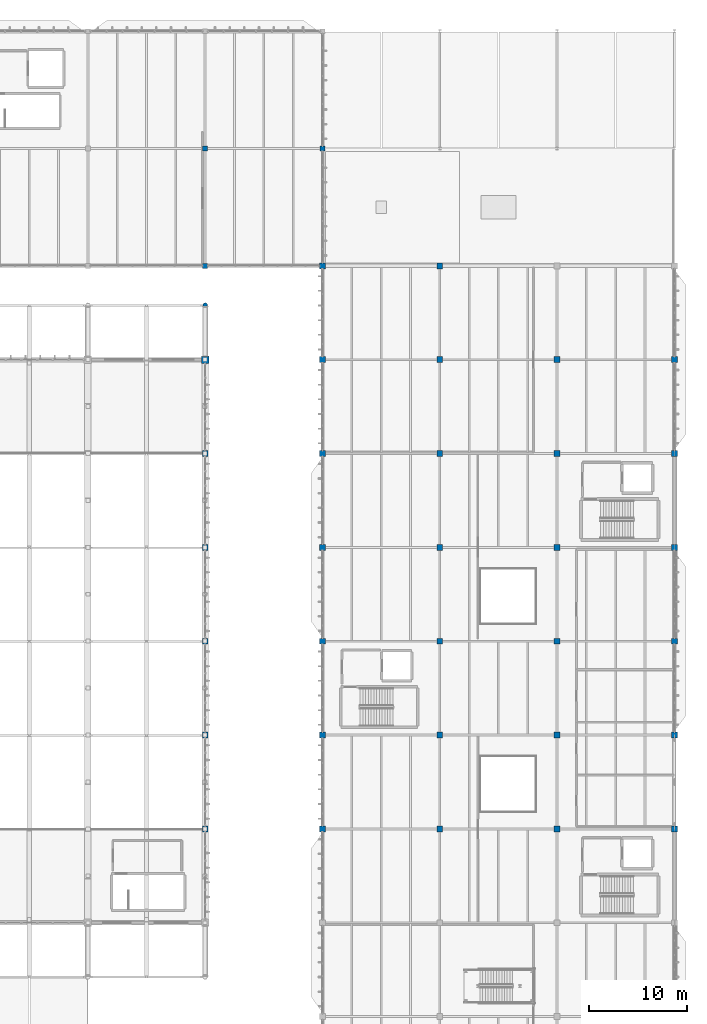
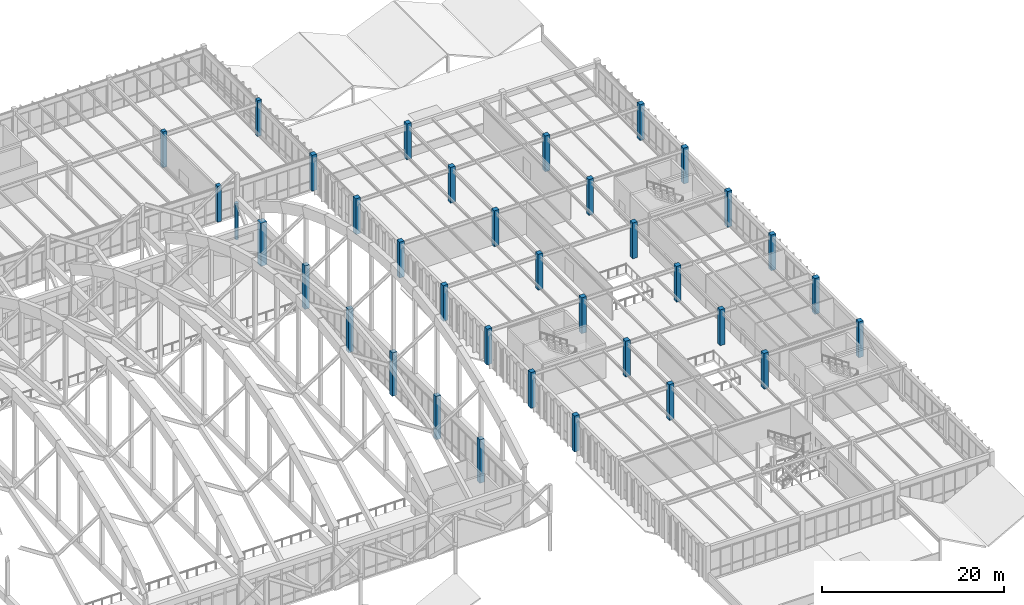
# One storey, part 6 of 236: 36 columns.
"""IFC4 building model written with IfcOpenShell, lengths in metres."""

from ifc_helpers import new_model, si_unit, direction, frame, origin, origin_2d, place, context, subcontext, project, spatial, rectangle, circle, extrude, material, material_profile, profile_set, type_object, element, save


model = new_model("IFC4")

# Units and contexts
model_context = context("Model", 3, precision=1e-05, world=origin(), true_north=direction((0.0, 1.0)))
body_context = subcontext(model_context, "Body", "Model", "MODEL_VIEW")
ifc_project = project(units=[si_unit("LENGTHUNIT", "METRE"), si_unit("AREAUNIT", "SQUARE_METRE"), si_unit("VOLUMEUNIT", "CUBIC_METRE"), si_unit("PLANEANGLEUNIT", "RADIAN"), si_unit("MASSUNIT", "GRAM", prefix="KILO")], contexts=[model_context])

# Site, building, storey
site_placement = place(None, origin())
site = spatial("IfcSite", under=ifc_project, at=site_placement, CompositionType="ELEMENT")
building_placement = place(site_placement, origin())
building = spatial("IfcBuilding", under=site, at=building_placement, Name="Pandanus Reach Market Hall", CompositionType="ELEMENT")
storey_placement = place(building_placement, frame((0.0, 0.0, 5.39990234375)))
storey = spatial("IfcBuildingStorey", under=building, at=storey_placement, Name="L01", CompositionType="ELEMENT", Elevation=5.39990234375)

# Columns
ifc_material_1 = material(Name="Concrete N40 (40 MPa)", Category="concrete")
ifc_material_profile_1 = material_profile(ifc_material_1, rectangle(XDim=0.5, YDim=0.5, at=origin_2d()), Name="RC500x500", Category="LoadBearing")
ifc_profile_set_1 = profile_set([ifc_material_profile_1], Name="Concrete N40 (40 MPa)")
column_type_1 = type_object("IfcColumnType", Name="CL-RC500-E", PredefinedType="COLUMN", material=ifc_profile_set_1)
column_1_placement = place(storey_placement, frame((132.0, 96.0, 0.0), z_axis=(0.0, 0.0, 1.0), x_axis=(1.0, 0.0, 0.0)))
element("IfcColumn", 1, at=column_1_placement, inside=storey, type_object=column_type_1, Name="Column CL-RC500-E V5-132-960 L01", PredefinedType="COLUMN", context=body_context, shape_type="SweptSolid", body=[
    extrude(rectangle(XDim=0.5, YDim=0.5, at=origin_2d()), origin(), (0.0, 0.0, 1.0), 4.800048828125),
])
ifc_material_profile_2 = material_profile(ifc_material_1, rectangle(XDim=0.5, YDim=0.5, at=origin_2d()), Name="RC500x500", Category="LoadBearing")
ifc_profile_set_2 = profile_set([ifc_material_profile_2], Name="Concrete N40 (40 MPa)")
column_type_2 = type_object("IfcColumnType", Name="CL-RC500-I", PredefinedType="COLUMN", material=ifc_profile_set_2)
for number, where, z_axis, x_axis, name in (
    (2, (132.0, 108.0, 0.0), (0.0, 0.0, 1.0), (1.0, 0.0, 0.0), "Column CL-RC500-I V5-132-1080 L01"),
    (3, (144.0, 108.0, 0.0), (0.0, 0.0, 1.0), (1.0, 0.0, 0.0), "Column CL-RC500-I V5-144-1080 L01"),
):
    element("IfcColumn", number, at=place(storey_placement, frame(where, z_axis=z_axis, x_axis=x_axis)), inside=storey, type_object=column_type_2, Name=name, PredefinedType="COLUMN", context=body_context, shape_type="SweptSolid", body=[
        extrude(rectangle(XDim=0.5, YDim=0.5, at=origin_2d()), origin(), (0.0, 0.0, 1.0), 4.800048828125),
    ])
ifc_material_profile_3 = material_profile(ifc_material_1, rectangle(XDim=0.60009765625, YDim=0.60009765625, at=origin_2d()), Name="RC600x600", Category="LoadBearing")
ifc_profile_set_3 = profile_set([ifc_material_profile_3], Name="Concrete N40 (40 MPa)")
column_type_3 = type_object("IfcColumnType", Name="CL-RC600-E", PredefinedType="COLUMN", material=ifc_profile_set_3)
for number, where, z_axis, x_axis, name in (
    (4, (144.0, 38.39990234375, 0.0), (0.0, 0.0, 1.0), (1.0, 0.0, 0.0), "Column CL-RC600-E V4-144-384 L01"),
    (5, (144.0, 48.0, 0.0), (0.0, 0.0, 1.0), (1.0, 0.0, 0.0), "Column CL-RC600-E V4-144-480 L01"),
    (6, (144.0, 57.60009765625, 0.0), (0.0, 0.0, 1.0), (1.0, 0.0, 0.0), "Column CL-RC600-E V4-144-576 L01"),
    (7, (144.0, 67.199951171875, 0.0), (0.0, 0.0, 1.0), (1.0, 0.0, 0.0), "Column CL-RC600-E V4-144-672 L01"),
    (8, (144.0, 76.800048828125, 0.0), (0.0, 0.0, 1.0), (1.0, 0.0, 0.0), "Column CL-RC600-E V4-144-768 L01"),
    (9, (144.0, 86.39990234375, 0.0), (0.0, 0.0, 1.0), (1.0, 0.0, 0.0), "Column CL-RC600-E V4-144-864 L01"),
    (10, (144.0, 96.0, 0.0), (0.0, 0.0, 1.0), (1.0, 0.0, 0.0), "Column CL-RC600-E V4-144-960 L01"),
    (11, (156.0, 96.0, 0.0), (0.0, 0.0, 1.0), (1.0, 0.0, 0.0), "Column CL-RC600-E V4-156-960 L01"),
    (12, (180.0, 38.39990234375, 0.0), (0.0, 0.0, 1.0), (1.0, 0.0, 0.0), "Column CL-RC600-E V4-180-384 L01"),
    (13, (180.0, 48.0, 0.0), (0.0, 0.0, 1.0), (1.0, 0.0, 0.0), "Column CL-RC600-E V4-180-480 L01"),
    (14, (180.0, 57.60009765625, 0.0), (0.0, 0.0, 1.0), (1.0, 0.0, 0.0), "Column CL-RC600-E V4-180-576 L01"),
    (15, (180.0, 67.199951171875, 0.0), (0.0, 0.0, 1.0), (1.0, 0.0, 0.0), "Column CL-RC600-E V4-180-672 L01"),
    (16, (180.0, 76.800048828125, 0.0), (0.0, 0.0, 1.0), (1.0, 0.0, 0.0), "Column CL-RC600-E V4-180-768 L01"),
    (17, (180.0, 86.39990234375, 0.0), (0.0, 0.0, 1.0), (1.0, 0.0, 0.0), "Column CL-RC600-E V4-180-864 L01"),
):
    element("IfcColumn", number, at=place(storey_placement, frame(where, z_axis=z_axis, x_axis=x_axis)), inside=storey, type_object=column_type_3, Name=name, PredefinedType="COLUMN", context=body_context, shape_type="SweptSolid", body=[
        extrude(rectangle(XDim=0.60009765625, YDim=0.60009765625, at=origin_2d()), origin(), (0.0, 0.0, 1.0), 4.800048828125),
    ])
for number, where, z_axis, x_axis, name in (
    (18, (132.0, 38.39990234375, 0.0), (0.0, 0.0, 1.0), (1.0, 0.0, 0.0), "Column CL-RC600-E V1M-132-384 L01"),
    (19, (132.0, 76.800048828125, 0.0), (0.0, 0.0, 1.0), (1.0, 0.0, 0.0), "Column CL-RC600-E V1M-132-768 L01"),
    (20, (132.0, 48.0, 0.0), (0.0, 0.0, 1.0), (1.0, 0.0, 0.0), "Column CL-RC600-E V1G-132-480 L01"),
    (21, (132.0, 57.60009765625, 0.0), (0.0, 0.0, 1.0), (1.0, 0.0, 0.0), "Column CL-RC600-E V1G-132-576 L01"),
    (22, (132.0, 67.199951171875, 0.0), (0.0, 0.0, 1.0), (1.0, 0.0, 0.0), "Column CL-RC600-E V1G-132-672 L01"),
):
    element("IfcColumn", number, at=place(storey_placement, frame(where, z_axis=z_axis, x_axis=x_axis)), inside=storey, type_object=column_type_3, Name=name, PredefinedType="COLUMN", context=body_context, shape_type="SweptSolid", body=[
        extrude(rectangle(XDim=0.60009765625, YDim=0.60009765625, at=origin_2d()), origin(), (0.0, 0.0, 1.0), 5.800048828125),
    ])
ifc_material_profile_4 = material_profile(ifc_material_1, rectangle(XDim=0.60009765625, YDim=0.60009765625, at=origin_2d()), Name="RC600x600", Category="LoadBearing")
ifc_profile_set_4 = profile_set([ifc_material_profile_4], Name="Concrete N40 (40 MPa)")
column_type_4 = type_object("IfcColumnType", Name="CL-RC600-I", PredefinedType="COLUMN", material=ifc_profile_set_4)
for number, where, z_axis, x_axis, name in (
    (23, (156.0, 38.39990234375, 0.0), (0.0, 0.0, 1.0), (1.0, 0.0, 0.0), "Column CL-RC600-I V4-156-384 L01"),
    (24, (156.0, 48.0, 0.0), (0.0, 0.0, 1.0), (1.0, 0.0, 0.0), "Column CL-RC600-I V4-156-480 L01"),
    (25, (156.0, 57.60009765625, 0.0), (0.0, 0.0, 1.0), (1.0, 0.0, 0.0), "Column CL-RC600-I V4-156-576 L01"),
    (26, (156.0, 67.199951171875, 0.0), (0.0, 0.0, 1.0), (1.0, 0.0, 0.0), "Column CL-RC600-I V4-156-672 L01"),
    (27, (156.0, 76.800048828125, 0.0), (0.0, 0.0, 1.0), (1.0, 0.0, 0.0), "Column CL-RC600-I V4-156-768 L01"),
    (28, (156.0, 86.39990234375, 0.0), (0.0, 0.0, 1.0), (1.0, 0.0, 0.0), "Column CL-RC600-I V4-156-864 L01"),
    (29, (168.0, 38.39990234375, 0.0), (0.0, 0.0, 1.0), (1.0, 0.0, 0.0), "Column CL-RC600-I V4-168-384 L01"),
    (30, (168.0, 48.0, 0.0), (0.0, 0.0, 1.0), (1.0, 0.0, 0.0), "Column CL-RC600-I V4-168-480 L01"),
    (31, (168.0, 57.60009765625, 0.0), (0.0, 0.0, 1.0), (1.0, 0.0, 0.0), "Column CL-RC600-I V4-168-576 L01"),
    (32, (168.0, 67.199951171875, 0.0), (0.0, 0.0, 1.0), (1.0, 0.0, 0.0), "Column CL-RC600-I V4-168-672 L01"),
    (33, (168.0, 76.800048828125, 0.0), (0.0, 0.0, 1.0), (1.0, 0.0, 0.0), "Column CL-RC600-I V4-168-768 L01"),
    (34, (168.0, 86.39990234375, 0.0), (0.0, 0.0, 1.0), (1.0, 0.0, 0.0), "Column CL-RC600-I V4-168-864 L01"),
):
    element("IfcColumn", number, at=place(storey_placement, frame(where, z_axis=z_axis, x_axis=x_axis)), inside=storey, type_object=column_type_4, Name=name, PredefinedType="COLUMN", context=body_context, shape_type="SweptSolid", body=[
        extrude(rectangle(XDim=0.60009765625, YDim=0.60009765625, at=origin_2d()), origin(), (0.0, 0.0, 1.0), 4.800048828125),
    ])
ifc_material_2 = material(Name="Concrete N50 (50 MPa)", Category="concrete")
ifc_material_profile_5 = material_profile(ifc_material_2, rectangle(XDim=0.75, YDim=0.75, at=origin_2d()), Name="RC750x750", Category="LoadBearing")
ifc_profile_set_5 = profile_set([ifc_material_profile_5], Name="Concrete N50 (50 MPa)")
column_type_5 = type_object("IfcColumnType", Name="CL-RC750-E", PredefinedType="COLUMN", material=ifc_profile_set_5)
column_2_placement = place(storey_placement, frame((132.0, 86.39990234375, 0.0), z_axis=(0.0, 0.0, 1.0), x_axis=(1.0, 0.0, 0.0)))
element("IfcColumn", 35, at=column_2_placement, inside=storey, type_object=column_type_5, Name="Column CL-RC750-E V1A-132-864 L01", PredefinedType="COLUMN", context=body_context, shape_type="SweptSolid", body=[
    extrude(rectangle(XDim=0.75, YDim=0.75, at=origin_2d()), origin(), (0.0, 0.0, 1.0), 5.800048828125),
])
ifc_material_3 = material(Name="Precast concrete S50 (50 MPa)", Category="concrete")
ifc_material_profile_6 = material_profile(ifc_material_3, circle(Radius=0.22509765625, at=origin_2d()), Name="RC450D", Category="LoadBearing")
ifc_profile_set_6 = profile_set([ifc_material_profile_6], Name="Precast concrete S50 (50 MPa)")
column_type_6 = type_object("IfcColumnType", Name="PL-RC450-E", PredefinedType="PILASTER", material=ifc_profile_set_6)
column_3_placement = place(storey_placement, frame((132.0, 92.0, 0.0), z_axis=(0.0, 0.0, 1.0), x_axis=(1.0, 0.0, 0.0)))
element("IfcColumn", 36, at=column_3_placement, inside=storey, type_object=column_type_6, Name="Arcade upper pilaster P16.L01", PredefinedType="PILASTER", context=body_context, shape_type="SweptSolid", body=[
    extrude(circle(Radius=0.22509765625, at=origin_2d()), origin(), (0.0, 0.0, 1.0), 4.860107421875),
])

save(model, "model.ifc")
